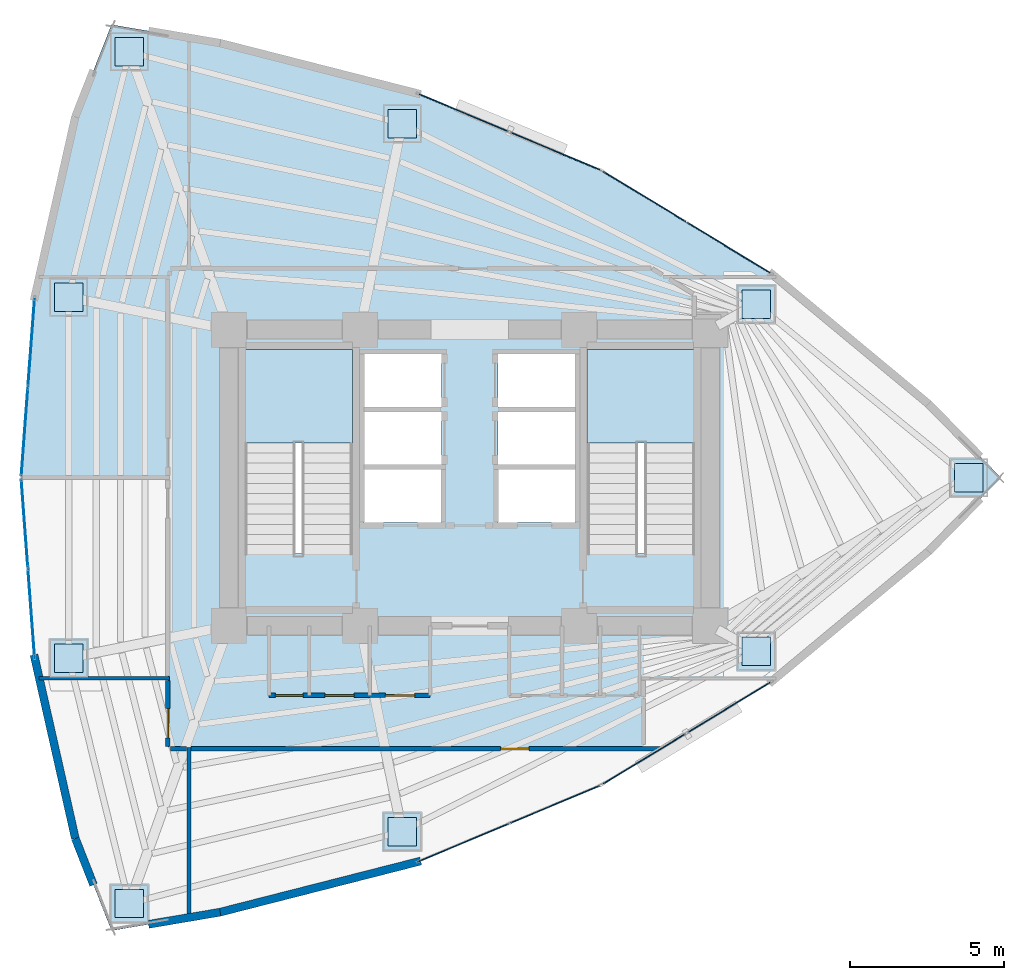
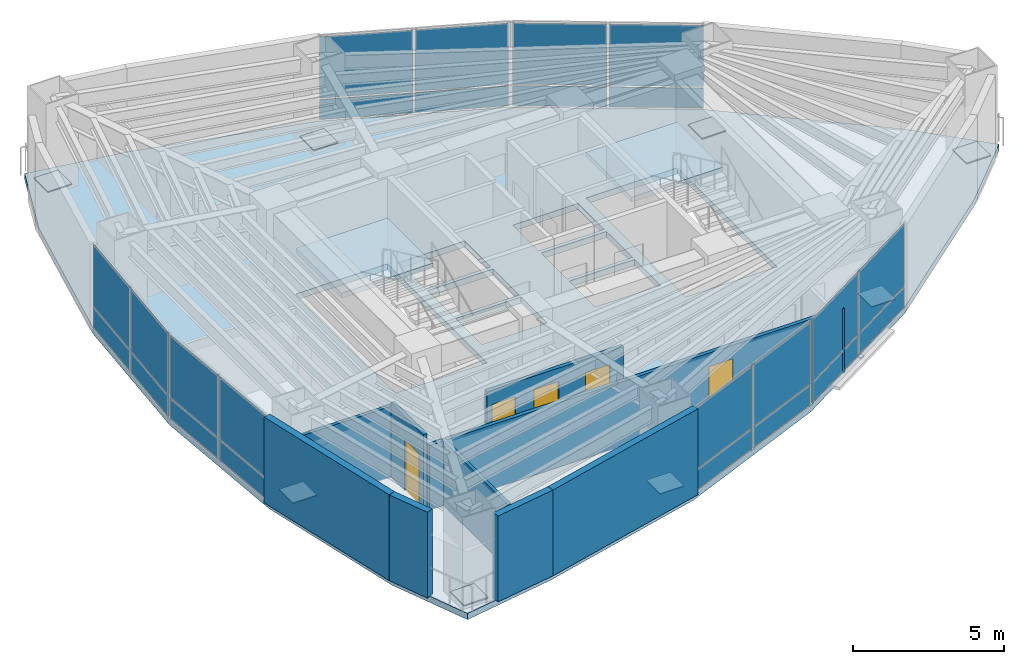
# One storey, part 12 of 16: 33 plates, 10 walls, 5 doors, 3 slabs, 5 openings, 8 elements without a shape of their own.
"""IFC4 building model written with IfcOpenShell, lengths in metres."""

import ifcopenshell
import ifcopenshell.guid

model = None  # the IFC model being written
_history = None  # IfcOwnerHistory: only IFC2X3 demands one
_inside = {}  # id of a spatial element -> (the spatial element, [elements in it])
_under = {}  # id of a project, library or spatial element -> (it, [spatial elements below it])
_declared = {}  # id of a project -> (the project, [libraries it declares])
_typed = {}  # id of a type object -> (the type object, [elements of that type])
_made_of = {}  # id of a material, layer set ... -> (it, [elements and type objects made of it])


def new_model(schema):
    """Start an empty IFC model of exactly this schema.

    Asked for "IFC4X3", IfcOpenShell would pick the latest addendum, in which some entities
    have other attributes; the version numbers below select the first issue.
    IFC2X3 requires an IfcOwnerHistory on every rooted entity: one is made here for all.
    """
    global model, _history
    if schema == "IFC4X3":
        model = ifcopenshell.file(schema_version=(4, 3, 0, 0))
    else:
        model = ifcopenshell.file(schema=schema)
    _inside.clear()
    _under.clear()
    _declared.clear()
    _typed.clear()
    _made_of.clear()
    _history = None
    if model.schema == "IFC2X3":
        org = make("IfcOrganization", Name="unknown")
        user = make(
            "IfcPersonAndOrganization",
            ThePerson=make("IfcPerson", FamilyName="unknown"),
            TheOrganization=org,
        )
        app = make(
            "IfcApplication",
            ApplicationDeveloper=org,
            Version="unknown",
            ApplicationFullName="unknown",
            ApplicationIdentifier="unknown",
        )
        _history = make(
            "IfcOwnerHistory",
            OwningUser=user,
            OwningApplication=app,
            ChangeAction="ADDED",
            CreationDate=0,
        )
    return model


def make(cls, **values):
    """One entity of the class cls with the attributes given. An attribute that is None is left unset."""
    return model.create_entity(
        cls, **{name: value for name, value in values.items() if value is not None}
    )


def rooted(cls, **values):
    """An entity with a GlobalId (a new one), such as an element, a storey or a relation."""
    return make(cls, GlobalId=ifcopenshell.guid.new(), OwnerHistory=_history, **values)


def si_unit(unit_type, name, prefix=None):
    """IfcSIUnit, for example si_unit("LENGTHUNIT", "METRE", prefix="MILLI")."""
    return make("IfcSIUnit", UnitType=unit_type, Prefix=prefix, Name=name)


def assignment(units):
    """IfcUnitAssignment: the units of a project."""
    return None if units is None else make("IfcUnitAssignment", Units=units)


def point(xyz):
    """IfcCartesianPoint."""
    return None if xyz is None else make("IfcCartesianPoint", Coordinates=xyz)


def direction(xyz):
    """IfcDirection."""
    return None if xyz is None else make("IfcDirection", DirectionRatios=xyz)


def frame(location, z_axis=None, x_axis=None):
    """IfcAxis2Placement3D, a coordinate frame: its origin and axes. An axis left out is left unset."""
    return make(
        "IfcAxis2Placement3D",
        Location=point(location),
        Axis=direction(z_axis),
        RefDirection=direction(x_axis),
    )


def frame_2d(location, x_axis=None):
    """IfcAxis2Placement2D, a coordinate frame in the plane: its origin and x axis."""
    return make(
        "IfcAxis2Placement2D", Location=point(location), RefDirection=direction(x_axis)
    )


def origin():
    """The frame at (0, 0, 0) with its axes left unset."""
    return frame((0.0, 0.0, 0.0))


def origin_2d():
    """The frame at (0, 0) in the plane with its x axis left unset."""
    return frame_2d((0.0, 0.0))


def place(relative_to, where):
    """IfcLocalPlacement: puts the frame where relative to a parent placement (None: the world)."""
    return make(
        "IfcLocalPlacement", PlacementRelTo=relative_to, RelativePlacement=where
    )


def context(
    kind, dimensions, precision=None, world=None, true_north=None, identifier=None
):
    """IfcGeometricRepresentationContext, for example the 3D "Model" context."""
    return make(
        "IfcGeometricRepresentationContext",
        ContextIdentifier=identifier,
        ContextType=kind,
        CoordinateSpaceDimension=dimensions,
        Precision=precision,
        WorldCoordinateSystem=world,
        TrueNorth=true_north,
    )


def subcontext(parent, identifier, kind, view, scale=None):
    """IfcGeometricRepresentationSubContext, for example "Body" below "Model"."""
    return make(
        "IfcGeometricRepresentationSubContext",
        ContextIdentifier=identifier,
        ContextType=kind,
        ParentContext=parent,
        TargetScale=scale,
        TargetView=view,
    )


def project(units=None, contexts=None):
    """IfcProject with its units and contexts."""
    return rooted(
        "IfcProject",
        Name="project",
        RepresentationContexts=contexts,
        UnitsInContext=assignment(units),
    )


def spatial(cls, under=None, at=None, **own):
    """A site, building, storey or space (cls), placed at a placement, below another one or the project."""
    s = rooted(cls, ObjectPlacement=at, **own)
    if under is not None:
        _under.setdefault(under.id(), (under, []))[1].append(s)
    return s


def polyline(points):
    """IfcPolyline through the points."""
    return make("IfcPolyline", Points=[point(p) for p in points])


def profile(cls, at=None, kind="AREA", **sizes):
    """A parametric profile (cls). Its sizes go by their IFC names, for example OverallWidth=200.0."""
    return make(cls, ProfileType=kind, Position=at, **sizes)


def rectangle(**sizes):
    """IfcRectangleProfileDef."""
    return profile("IfcRectangleProfileDef", **sizes)


def outline(outer, holes=None, kind="AREA"):
    """IfcArbitraryClosedProfileDef: a profile drawn as a closed curve; with holes, ...WithVoids."""
    if holes is None:
        return make("IfcArbitraryClosedProfileDef", ProfileType=kind, OuterCurve=outer)
    return make(
        "IfcArbitraryProfileDefWithVoids",
        ProfileType=kind,
        OuterCurve=outer,
        InnerCurves=holes,
    )


def extrude(swept, where, along, depth):
    """IfcExtrudedAreaSolid: the profile swept, set in the frame where, extruded along a direction by depth."""
    return make(
        "IfcExtrudedAreaSolid",
        SweptArea=swept,
        Position=where,
        ExtrudedDirection=direction(along),
        Depth=depth,
    )


def shape(context_of_items, identifier, shape_type, items):
    """IfcShapeRepresentation: the items that make up one representation, for example the "Body"."""
    return make(
        "IfcShapeRepresentation",
        ContextOfItems=context_of_items,
        RepresentationIdentifier=identifier,
        RepresentationType=shape_type,
        Items=items,
    )


def material(Name=None, Category=None):
    """IfcMaterial."""
    return make("IfcMaterial", Name=Name, Category=Category)


def layer(
    of_material, thickness, ventilated=None, Name=None, Category=None, Priority=None
):
    """IfcMaterialLayer: one layer of a wall or slab, of a material (None: an air gap)."""
    return make(
        "IfcMaterialLayer",
        Material=of_material,
        LayerThickness=thickness,
        IsVentilated=ventilated,
        Name=Name,
        Category=Category,
        Priority=Priority,
    )


def layer_set(layers, Name=None):
    """IfcMaterialLayerSet."""
    return make("IfcMaterialLayerSet", MaterialLayers=layers, LayerSetName=Name)


def made_of(thing, what):
    """Note that an element or type object is made of a material, layer set ...; save() writes the relation."""
    if what is not None:
        _made_of.setdefault(what.id(), (what, []))[1].append(thing)
    return thing


def type_object(cls, material=None, **own):
    """A type object (cls), such as IfcWallType, which elements share."""
    return made_of(rooted(cls, **own), material)


def element(
    cls,
    number,
    at=None,
    inside=None,
    cuts=None,
    type_object=None,
    material=None,
    context=None,
    identifier="Body",
    shape_type=None,
    held_by="IfcProductDefinitionShape",
    body=None,
    shapes=None,
    **own,
):
    """One element of the class cls, such as IfcWall. Its Tag is "e" and its number.

    at: its placement. inside: the storey or other place that contains it. cuts: it is an
    opening in that element (IfcRelVoidsElement). A single representation is given by context,
    identifier, shape_type and body (its items); several are given by shapes. held_by: the class
    of the entity that holds the representations. save() writes the other relations.
    """
    e = rooted(cls, Tag="e%d" % number, ObjectPlacement=at, **own)
    if body is not None:
        shapes = [shape(context, identifier, shape_type, body)]
    if shapes is not None:
        e.Representation = make(held_by, Representations=shapes)
    if inside is not None:
        _inside.setdefault(inside.id(), (inside, []))[1].append(e)
    if cuts is not None:
        rooted(
            "IfcRelVoidsElement", RelatingBuildingElement=cuts, RelatedOpeningElement=e
        )
    if type_object is not None:
        _typed.setdefault(type_object.id(), (type_object, []))[1].append(e)
    return made_of(e, material)


def fill(opening, filler):
    """IfcRelFillsElement: the door or window that sits in an opening."""
    return rooted(
        "IfcRelFillsElement",
        RelatingOpeningElement=opening,
        RelatedBuildingElement=filler,
    )


def aggregate(whole, parts):
    """IfcRelAggregates: a whole, such as a stair, and the parts it consists of."""
    return rooted("IfcRelAggregates", RelatingObject=whole, RelatedObjects=parts)


def save(model, path):
    """Write the relations noted so far, then the file.

    IfcRelAggregates (storeys below a building ...), IfcRelContainedInSpatialStructure (elements
    in a storey), IfcRelDefinesByType, IfcRelAssociatesMaterial and IfcRelDeclares: one each for
    every whole, place, type object, material and project.
    """
    for whole, parts in _under.values():
        aggregate(whole, parts)
    for where, things in _inside.values():
        rooted(
            "IfcRelContainedInSpatialStructure",
            RelatedElements=things,
            RelatingStructure=where,
        )
    for kind, things in _typed.values():
        rooted("IfcRelDefinesByType", RelatedObjects=things, RelatingType=kind)
    for what, things in _made_of.values():
        rooted("IfcRelAssociatesMaterial", RelatedObjects=things, RelatingMaterial=what)
    for by, libraries in _declared.values():
        rooted("IfcRelDeclares", RelatingContext=by, RelatedDefinitions=libraries)
    model.write(path)


model = new_model("IFC4")

# Units and contexts
model_context = context("Model", 3, precision=1e-05, world=origin(), true_north=direction((0.0, 1.0)))
body_context = subcontext(model_context, "Body", "Model", "MODEL_VIEW")
ifc_project = project(units=[si_unit("LENGTHUNIT", "METRE"), si_unit("AREAUNIT", "SQUARE_METRE"), si_unit("VOLUMEUNIT", "CUBIC_METRE"), si_unit("PLANEANGLEUNIT", "RADIAN"), si_unit("MASSUNIT", "GRAM", prefix="KILO")], contexts=[model_context])

# Site, building, storey
site_placement = place(None, origin())
site = spatial("IfcSite", under=ifc_project, at=site_placement, CompositionType="ELEMENT")
building_placement = place(site_placement, origin())
building = spatial("IfcBuilding", under=site, at=building_placement, Name="Menara Vayukalpa", CompositionType="ELEMENT")
storey_placement = place(building_placement, frame((0.0, 0.0, 72.239990234375)))
storey = spatial("IfcBuildingStorey", under=building, at=storey_placement, Name="L17", CompositionType="ELEMENT", Elevation=72.239990234375)

# Curtain wall, plates
ifc_material_1 = material(Name="Anodised Terracotta Aluminium Alloy 6063-T6", Category="masonry")
ifc_layer_1 = layer(ifc_material_1, 0.1650390625)
ifc_layer_set_1 = layer_set([ifc_layer_1], Name="Anodised Terracotta Aluminium Alloy 6063-T6")
curtain_wall_type = type_object("IfcCurtainWallType", Name="CW-CW2", PredefinedType="USERDEFINED", material=ifc_layer_set_1)
curtain_wall_1_placement = place(storey_placement, origin())
curtain_wall_1 = element("IfcCurtainWall", 1, at=curtain_wall_1_placement, inside=storey, type_object=curtain_wall_type, Name="L17 Low Rise Terracotta Ribbon Curtain Wall CW2 04", ObjectType="UNITISED", PredefinedType="USERDEFINED")
ifc_material_2 = material(Name="Low-E Double Glazing", Category="glass")
ifc_layer_2 = layer(ifc_material_2, 0.031982421875)
ifc_layer_set_2 = layer_set([ifc_layer_2], Name="Low-E Double Glazing")
plate_type_1 = type_object("IfcPlateType", Name="CWP-CW2", PredefinedType="CURTAIN_PANEL", material=ifc_layer_set_2)
plate_1_placement = place(storey_placement, frame((33.990966796875, 29.44921875, 0.06494140625), z_axis=(0.0, 0.0, 1.0), x_axis=(-0.854663123674, 0.519182959112, 0.0)))
plate_1 = element("IfcPlate", 2, at=plate_1_placement, type_object=plate_type_1, Name="CW2 panel 1.1", PredefinedType="CURTAIN_PANEL", context=body_context, shape_type="SweptSolid", body=[
    extrude(rectangle(XDim=3.12451171875, YDim=0.031982421875, at=origin_2d()), origin(), (0.0, 0.0, 1.0), 0.802490234375),
])
plate_2_placement = place(storey_placement, frame((33.990966796875, 29.44921875, 0.9326171875), z_axis=(0.0, 0.0, 1.0), x_axis=(-0.854663123674, 0.519182959112, 0.0)))
plate_2 = element("IfcPlate", 3, at=plate_2_placement, type_object=plate_type_1, Name="CW2 panel 1.2", PredefinedType="CURTAIN_PANEL", context=body_context, shape_type="SweptSolid", body=[
    extrude(rectangle(XDim=3.12451171875, YDim=0.031982421875, at=origin_2d()), origin(), (0.0, 0.0, 1.0), 2.472412109375),
])
plate_3_placement = place(storey_placement, frame((31.260986328125, 31.10791015625, 0.06494140625), z_axis=(0.0, 0.0, 1.0), x_axis=(-0.854663123674, 0.519182959112, 0.0)))
plate_3 = element("IfcPlate", 4, at=plate_3_placement, type_object=plate_type_1, Name="CW2 panel 2.1", PredefinedType="CURTAIN_PANEL", context=body_context, shape_type="SweptSolid", body=[
    extrude(rectangle(XDim=3.12451171875, YDim=0.031982421875, at=origin_2d()), origin(), (0.0, 0.0, 1.0), 0.802490234375),
])
plate_4_placement = place(storey_placement, frame((31.260986328125, 31.10791015625, 0.9326171875), z_axis=(0.0, 0.0, 1.0), x_axis=(-0.854663123674, 0.519182959112, 0.0)))
plate_4 = element("IfcPlate", 5, at=plate_4_placement, type_object=plate_type_1, Name="CW2 panel 2.2", PredefinedType="CURTAIN_PANEL", context=body_context, shape_type="SweptSolid", body=[
    extrude(rectangle(XDim=3.12451171875, YDim=0.031982421875, at=origin_2d()), origin(), (0.0, 0.0, 1.0), 2.472412109375),
])
aggregate(curtain_wall_1, [plate_1, plate_2, plate_3, plate_4])

curtain_wall_2_placement = place(storey_placement, origin())
curtain_wall_2 = element("IfcCurtainWall", 6, at=curtain_wall_2_placement, inside=storey, type_object=curtain_wall_type, Name="L17 Low Rise Terracotta Ribbon Curtain Wall CW2 05", ObjectType="UNITISED", PredefinedType="USERDEFINED")
plate_5_placement = place(storey_placement, frame((28.360107421875, 32.5849609375, 0.06494140625), z_axis=(0.0, 0.0, 1.0), x_axis=(-0.922543300632, 0.38589358437, 0.0)))
plate_5 = element("IfcPlate", 7, at=plate_5_placement, type_object=plate_type_1, Name="CW2 panel 1.1", PredefinedType="CURTAIN_PANEL", context=body_context, shape_type="SweptSolid", body=[
    extrude(rectangle(XDim=3.124267578125, YDim=0.031982421875, at=origin_2d()), origin(), (0.0, 0.0, 1.0), 0.802490234375),
])
plate_6_placement = place(storey_placement, frame((28.360107421875, 32.5849609375, 0.9326171875), z_axis=(0.0, 0.0, 1.0), x_axis=(-0.922543300632, 0.38589358437, 0.0)))
plate_6 = element("IfcPlate", 8, at=plate_6_placement, type_object=plate_type_1, Name="CW2 panel 1.2", PredefinedType="CURTAIN_PANEL", context=body_context, shape_type="SweptSolid", body=[
    extrude(rectangle(XDim=3.124267578125, YDim=0.031982421875, at=origin_2d()), origin(), (0.0, 0.0, 1.0), 2.472412109375),
])
plate_7_placement = place(storey_placement, frame((25.4130859375, 33.817626953125, 0.06494140625), z_axis=(0.0, 0.0, 1.0), x_axis=(-0.922543300632, 0.38589358437, 0.0)))
plate_7 = element("IfcPlate", 9, at=plate_7_placement, type_object=plate_type_1, Name="CW2 panel 2.1", PredefinedType="CURTAIN_PANEL", context=body_context, shape_type="SweptSolid", body=[
    extrude(rectangle(XDim=3.124267578125, YDim=0.031982421875, at=origin_2d()), origin(), (0.0, 0.0, 1.0), 0.802490234375),
])
plate_8_placement = place(storey_placement, frame((25.4130859375, 33.817626953125, 0.9326171875), z_axis=(0.0, 0.0, 1.0), x_axis=(-0.922543300632, 0.38589358437, 0.0)))
plate_8 = element("IfcPlate", 10, at=plate_8_placement, type_object=plate_type_1, Name="CW2 panel 2.2", PredefinedType="CURTAIN_PANEL", context=body_context, shape_type="SweptSolid", body=[
    extrude(rectangle(XDim=3.124267578125, YDim=0.031982421875, at=origin_2d()), origin(), (0.0, 0.0, 1.0), 2.472412109375),
])
aggregate(curtain_wall_2, [plate_5, plate_6, plate_7, plate_8])

curtain_wall_3_placement = place(storey_placement, origin())
curtain_wall_3 = element("IfcCurtainWall", 11, at=curtain_wall_3_placement, inside=storey, type_object=curtain_wall_type, Name="L17 Low Rise Terracotta Ribbon Curtain Wall CW2 10", ObjectType="UNITISED", PredefinedType="USERDEFINED")
plate_9_placement = place(storey_placement, frame((11.395751953125, 26.366943359375, 0.06494140625), z_axis=(0.0, 0.0, 1.0), x_axis=(-0.07478528334, -0.997199659745, 0.0)))
plate_9 = element("IfcPlate", 12, at=plate_9_placement, type_object=plate_type_1, Name="CW2 panel 1.1", PredefinedType="CURTAIN_PANEL", context=body_context, shape_type="SweptSolid", body=[
    extrude(rectangle(XDim=2.826171875, YDim=0.031982421875, at=origin_2d()), origin(), (0.0, 0.0, 1.0), 0.802490234375),
])
plate_10_placement = place(storey_placement, frame((11.395751953125, 26.366943359375, 0.9326171875), z_axis=(0.0, 0.0, 1.0), x_axis=(-0.07478528334, -0.997199659745, 0.0)))
plate_10 = element("IfcPlate", 13, at=plate_10_placement, type_object=plate_type_1, Name="CW2 panel 1.2", PredefinedType="CURTAIN_PANEL", context=body_context, shape_type="SweptSolid", body=[
    extrude(rectangle(XDim=2.826171875, YDim=0.031982421875, at=origin_2d()), origin(), (0.0, 0.0, 1.0), 2.472412109375),
])
plate_11_placement = place(storey_placement, frame((11.17919921875, 23.478759765625, 0.06494140625), z_axis=(0.0, 0.0, 1.0), x_axis=(-0.07478528334, -0.997199659745, 0.0)))
plate_11 = element("IfcPlate", 14, at=plate_11_placement, type_object=plate_type_1, Name="CW2 panel 2.1", PredefinedType="CURTAIN_PANEL", context=body_context, shape_type="SweptSolid", body=[
    extrude(rectangle(XDim=2.826171875, YDim=0.031982421875, at=origin_2d()), origin(), (0.0, 0.0, 1.0), 0.802490234375),
])
plate_12_placement = place(storey_placement, frame((11.17919921875, 23.478759765625, 0.9326171875), z_axis=(0.0, 0.0, 1.0), x_axis=(-0.07478528334, -0.997199659745, 0.0)))
plate_12 = element("IfcPlate", 15, at=plate_12_placement, type_object=plate_type_1, Name="CW2 panel 2.2", PredefinedType="CURTAIN_PANEL", context=body_context, shape_type="SweptSolid", body=[
    extrude(rectangle(XDim=2.826171875, YDim=0.031982421875, at=origin_2d()), origin(), (0.0, 0.0, 1.0), 2.472412109375),
])
aggregate(curtain_wall_3, [plate_9, plate_10, plate_11, plate_12])

curtain_wall_4_placement = place(storey_placement, origin())
curtain_wall_4 = element("IfcCurtainWall", 16, at=curtain_wall_4_placement, inside=storey, type_object=curtain_wall_type, Name="L17 Low Rise Terracotta Ribbon Curtain Wall CW2 11", ObjectType="UNITISED", PredefinedType="USERDEFINED")
plate_13_placement = place(storey_placement, frame((11.17919921875, 20.521240234375, 0.06494140625), z_axis=(0.0, 0.0, 1.0), x_axis=(0.07478528334, -0.997199659745, 0.0)))
plate_13 = element("IfcPlate", 17, at=plate_13_placement, type_object=plate_type_1, Name="CW2 panel 1.1", PredefinedType="CURTAIN_PANEL", context=body_context, shape_type="SweptSolid", body=[
    extrude(rectangle(XDim=2.826171875, YDim=0.031982421875, at=origin_2d()), origin(), (0.0, 0.0, 1.0), 0.802490234375),
])
plate_14_placement = place(storey_placement, frame((11.17919921875, 20.521240234375, 0.9326171875), z_axis=(0.0, 0.0, 1.0), x_axis=(0.07478528334, -0.997199659745, 0.0)))
plate_14 = element("IfcPlate", 18, at=plate_14_placement, type_object=plate_type_1, Name="CW2 panel 1.2", PredefinedType="CURTAIN_PANEL", context=body_context, shape_type="SweptSolid", body=[
    extrude(rectangle(XDim=2.826171875, YDim=0.031982421875, at=origin_2d()), origin(), (0.0, 0.0, 1.0), 2.472412109375),
])
plate_15_placement = place(storey_placement, frame((11.395751953125, 17.633056640625, 0.06494140625), z_axis=(0.0, 0.0, 1.0), x_axis=(0.07478528334, -0.997199659745, 0.0)))
plate_15 = element("IfcPlate", 19, at=plate_15_placement, type_object=plate_type_1, Name="CW2 panel 2.1", PredefinedType="CURTAIN_PANEL", context=body_context, shape_type="SweptSolid", body=[
    extrude(rectangle(XDim=2.826171875, YDim=0.031982421875, at=origin_2d()), origin(), (0.0, 0.0, 1.0), 0.802490234375),
])
plate_16_placement = place(storey_placement, frame((11.395751953125, 17.633056640625, 0.9326171875), z_axis=(0.0, 0.0, 1.0), x_axis=(0.07478528334, -0.997199659745, 0.0)))
plate_16 = element("IfcPlate", 20, at=plate_16_placement, type_object=plate_type_1, Name="CW2 panel 2.2", PredefinedType="CURTAIN_PANEL", context=body_context, shape_type="SweptSolid", body=[
    extrude(rectangle(XDim=2.826171875, YDim=0.031982421875, at=origin_2d()), origin(), (0.0, 0.0, 1.0), 2.472412109375),
])
aggregate(curtain_wall_4, [plate_13, plate_14, plate_15, plate_16])

curtain_wall_5_placement = place(storey_placement, origin())
curtain_wall_5 = element("IfcCurtainWall", 21, at=curtain_wall_5_placement, inside=storey, type_object=curtain_wall_type, Name="L17 Low Rise Terracotta Ribbon Curtain Wall CW2 16", ObjectType="UNITISED", PredefinedType="USERDEFINED")
plate_17_placement = place(storey_placement, frame((25.4130859375, 10.182373046875, 0.06494140625), z_axis=(0.0, 0.0, 1.0), x_axis=(0.922543300632, 0.38589358437, 0.0)))
plate_17 = element("IfcPlate", 22, at=plate_17_placement, type_object=plate_type_1, Name="CW2 panel 1.1", PredefinedType="CURTAIN_PANEL", context=body_context, shape_type="SweptSolid", body=[
    extrude(rectangle(XDim=3.124267578125, YDim=0.031982421875, at=origin_2d()), origin(), (0.0, 0.0, 1.0), 0.802490234375),
])
plate_18_placement = place(storey_placement, frame((25.4130859375, 10.182373046875, 0.9326171875), z_axis=(0.0, 0.0, 1.0), x_axis=(0.922543300632, 0.38589358437, 0.0)))
plate_18 = element("IfcPlate", 23, at=plate_18_placement, type_object=plate_type_1, Name="CW2 panel 1.2", PredefinedType="CURTAIN_PANEL", context=body_context, shape_type="SweptSolid", body=[
    extrude(rectangle(XDim=3.124267578125, YDim=0.031982421875, at=origin_2d()), origin(), (0.0, 0.0, 1.0), 2.472412109375),
])
plate_19_placement = place(storey_placement, frame((28.360107421875, 11.4150390625, 0.06494140625), z_axis=(0.0, 0.0, 1.0), x_axis=(0.922543300632, 0.38589358437, 0.0)))
plate_19 = element("IfcPlate", 24, at=plate_19_placement, type_object=plate_type_1, Name="CW2 panel 2.1", PredefinedType="CURTAIN_PANEL", context=body_context, shape_type="SweptSolid", body=[
    extrude(rectangle(XDim=3.124267578125, YDim=0.031982421875, at=origin_2d()), origin(), (0.0, 0.0, 1.0), 0.802490234375),
])
plate_20_placement = place(storey_placement, frame((28.360107421875, 11.4150390625, 0.9326171875), z_axis=(0.0, 0.0, 1.0), x_axis=(0.922543300632, 0.38589358437, 0.0)))
plate_20 = element("IfcPlate", 25, at=plate_20_placement, type_object=plate_type_1, Name="CW2 panel 2.2", PredefinedType="CURTAIN_PANEL", context=body_context, shape_type="SweptSolid", body=[
    extrude(rectangle(XDim=3.124267578125, YDim=0.031982421875, at=origin_2d()), origin(), (0.0, 0.0, 1.0), 2.472412109375),
])
aggregate(curtain_wall_5, [plate_17, plate_18, plate_19, plate_20])

curtain_wall_6_placement = place(storey_placement, origin())
curtain_wall_6 = element("IfcCurtainWall", 26, at=curtain_wall_6_placement, inside=storey, type_object=curtain_wall_type, Name="L17 Low Rise Terracotta Ribbon Curtain Wall CW2 17", ObjectType="UNITISED", PredefinedType="USERDEFINED")
plate_21_placement = place(storey_placement, frame((31.260986328125, 12.89208984375, 0.06494140625), z_axis=(0.0, 0.0, 1.0), x_axis=(0.854663123674, 0.519182959112, 0.0)))
plate_21 = element("IfcPlate", 27, at=plate_21_placement, type_object=plate_type_1, Name="CW2 panel 1.1", PredefinedType="CURTAIN_PANEL", context=body_context, shape_type="SweptSolid", body=[
    extrude(rectangle(XDim=3.12451171875, YDim=0.031982421875, at=origin_2d()), origin(), (0.0, 0.0, 1.0), 0.802490234375),
])
plate_22_placement = place(storey_placement, frame((31.260986328125, 12.89208984375, 0.9326171875), z_axis=(0.0, 0.0, 1.0), x_axis=(0.854663123674, 0.519182959112, 0.0)))
plate_22 = element("IfcPlate", 28, at=plate_22_placement, type_object=plate_type_1, Name="CW2 panel 1.2", PredefinedType="CURTAIN_PANEL", context=body_context, shape_type="SweptSolid", body=[
    extrude(rectangle(XDim=3.12451171875, YDim=0.031982421875, at=origin_2d()), origin(), (0.0, 0.0, 1.0), 2.472412109375),
])
plate_23_placement = place(storey_placement, frame((33.990966796875, 14.55078125, 0.06494140625), z_axis=(0.0, 0.0, 1.0), x_axis=(0.854663123674, 0.519182959112, 0.0)))
plate_23 = element("IfcPlate", 29, at=plate_23_placement, type_object=plate_type_1, Name="CW2 panel 2.1", PredefinedType="CURTAIN_PANEL", context=body_context, shape_type="SweptSolid", body=[
    extrude(rectangle(XDim=3.12451171875, YDim=0.031982421875, at=origin_2d()), origin(), (0.0, 0.0, 1.0), 0.802490234375),
])
plate_24_placement = place(storey_placement, frame((33.990966796875, 14.55078125, 0.9326171875), z_axis=(0.0, 0.0, 1.0), x_axis=(0.854663123674, 0.519182959112, 0.0)))
plate_24 = element("IfcPlate", 30, at=plate_24_placement, type_object=plate_type_1, Name="CW2 panel 2.2", PredefinedType="CURTAIN_PANEL", context=body_context, shape_type="SweptSolid", body=[
    extrude(rectangle(XDim=3.12451171875, YDim=0.031982421875, at=origin_2d()), origin(), (0.0, 0.0, 1.0), 2.472412109375),
])
aggregate(curtain_wall_6, [plate_21, plate_22, plate_23, plate_24])

# Plates
ifc_material_3 = material(Name="Steel S355", Category="steel")
ifc_layer_3 = layer(ifc_material_3, 0.0419921875)
ifc_layer_set_3 = layer_set([ifc_layer_3], Name="Steel S355")
plate_type_2 = type_object("IfcPlateType", Name="PLT-SP1", PredefinedType="USERDEFINED", material=ifc_layer_set_3)
for number, where, z_axis, x_axis, name in (
    (31, (41.761962890625, 22.0, 0.0), (0.0, 0.0, 1.0), (1.0, 0.0, 0.0), "L17 Mega Column Tier Splice Plate 01"),
    (32, (34.88671875, 27.62158203125, 0.0), (0.0, 0.0, 1.0), (1.0, 0.0, 0.0), "L17 Mega Column Tier Splice Plate 02"),
    (33, (23.408203125, 33.46728515625, 0.0), (0.0, 0.0, 1.0), (1.0, 0.0, 0.0), "L17 Mega Column Tier Splice Plate 03"),
    (34, (14.569091796875, 35.79736328125, 0.0), (0.0, 0.0, 1.0), (1.0, 0.0, 0.0), "L17 Mega Column Tier Splice Plate 04"),
    (35, (12.606689453125, 27.845703125, 0.0), (0.0, 0.0, 1.0), (1.0, 0.0, 0.0), "L17 Mega Column Tier Splice Plate 05"),
    (36, (12.606689453125, 16.154296875, 0.0), (0.0, 0.0, 1.0), (1.0, 0.0, 0.0), "L17 Mega Column Tier Splice Plate 06"),
    (37, (14.569091796875, 8.20263671875, 0.0), (0.0, 0.0, 1.0), (1.0, 0.0, 0.0), "L17 Mega Column Tier Splice Plate 07"),
    (38, (23.408203125, 10.53271484375, 0.0), (0.0, 0.0, 1.0), (1.0, 0.0, 0.0), "L17 Mega Column Tier Splice Plate 08"),
    (39, (34.88671875, 16.37841796875, 0.0), (0.0, 0.0, 1.0), (1.0, 0.0, 0.0), "L17 Mega Column Tier Splice Plate 09"),
):
    element("IfcPlate", number, at=place(storey_placement, frame(where, z_axis=z_axis, x_axis=x_axis)), inside=storey, type_object=plate_type_2, Name=name, ObjectType="SPLICE_PLATE", PredefinedType="USERDEFINED", context=body_context, shape_type="SweptSolid", body=[
        extrude(rectangle(XDim=0.919921875, YDim=0.919921875, at=origin_2d()), origin(), (0.0, 0.0, 1.0), 0.0419921875),
    ])

# Slab
ifc_material_4 = material(Name="Concrete C40/50", Category="concrete")
ifc_layer_4 = layer(ifc_material_4, 0.25)
ifc_layer_set_4 = layer_set([ifc_layer_4], Name="Concrete C40/50")
slab_type_1 = type_object("IfcSlabType", Name="SLB-FL250", PredefinedType="FLOOR", material=ifc_layer_set_4)
slab_1_placement = place(storey_placement, frame((0.0, 0.0, -0.25)))
element("IfcSlab", 40, at=slab_1_placement, inside=storey, type_object=slab_type_1, Name="L17 Structural Floor Slab", PredefinedType="FLOOR", context=body_context, shape_type="SweptSolid", body=[
    extrude(outline(polyline([(40.4677734375, 19.6123046875), (42.81201171875, 22.0), (40.4677734375, 24.3876953125), (35.385986328125, 28.601806640625), (29.865966796875, 31.955078125), (23.907470703125, 34.447509765625), (17.510498046875, 36.0791015625), (13.993896484375, 36.676025390625), (12.822021484375, 33.69140625), (11.506591796875, 27.845703125), (11.068115234375, 22.0), (11.506591796875, 16.154296875), (12.822021484375, 10.30859375), (13.993896484375, 7.323974609375), (17.510498046875, 7.9208984375), (23.907470703125, 9.552490234375), (29.865966796875, 12.044921875), (35.385986328125, 15.398193359375), (40.4677734375, 19.6123046875)]), holes=[polyline([(21.800048828125, 19.550048828125), (21.800048828125, 26.14990234375), (18.300048828125, 26.14990234375), (18.300048828125, 19.550048828125), (21.800048828125, 19.550048828125)]), polyline([(32.89990234375, 19.550048828125), (32.89990234375, 26.14990234375), (29.39990234375, 26.14990234375), (29.39990234375, 19.550048828125), (32.89990234375, 19.550048828125)]), polyline([(22.179931640625, 20.550048828125), (24.679931640625, 20.550048828125), (24.679931640625, 22.27001953125), (22.179931640625, 22.27001953125), (22.179931640625, 20.550048828125)]), polyline([(26.52001953125, 20.550048828125), (29.02001953125, 20.550048828125), (29.02001953125, 22.27001953125), (26.52001953125, 22.27001953125), (26.52001953125, 20.550048828125)]), polyline([(22.179931640625, 22.419921875), (24.679931640625, 22.419921875), (24.679931640625, 24.139892578125), (22.179931640625, 24.139892578125), (22.179931640625, 22.419921875)]), polyline([(22.179931640625, 24.2900390625), (24.679931640625, 24.2900390625), (24.679931640625, 26.010009765625), (22.179931640625, 26.010009765625), (22.179931640625, 24.2900390625)]), polyline([(26.52001953125, 24.2900390625), (29.02001953125, 24.2900390625), (29.02001953125, 26.010009765625), (26.52001953125, 26.010009765625), (26.52001953125, 24.2900390625)]), polyline([(26.52001953125, 22.419921875), (29.02001953125, 22.419921875), (29.02001953125, 24.139892578125), (26.52001953125, 24.139892578125), (26.52001953125, 22.419921875)])]), origin(), (0.0, 0.0, 1.0), 0.25),
])

# Stair, slab
ifc_material_5 = material(Name="Precast Concrete C40/50", Category="concrete")
stair_type = type_object("IfcStairType", Name="STR-T04", PredefinedType="DOUBLE_RETURN_STAIR", material=ifc_material_5)
stair_1_placement = place(storey_placement, origin())
stair_1 = element("IfcStair", 41, at=stair_1_placement, inside=storey, type_object=stair_type, Name="L17 Core Exit Stair ST-1", PredefinedType="DOUBLE_RETURN_STAIR")
ifc_material_6 = material(Name="Precast Concrete C40/50", Category="concrete")
ifc_layer_5 = layer(ifc_material_6, 0.199951171875)
ifc_layer_set_5 = layer_set([ifc_layer_5], Name="Precast Concrete C40/50")
slab_type_2 = type_object("IfcSlabType", Name="SLB-LND200", PredefinedType="LANDING", material=ifc_layer_set_5)
slab_2_placement = place(storey_placement, frame((0.0, 0.0, 1.659912109375)))
slab_2 = element("IfcSlab", 42, at=slab_2_placement, type_object=slab_type_2, Name="ST-1 landing 1", PredefinedType="LANDING", context=body_context, shape_type="SweptSolid", body=[
    extrude(outline(polyline([(21.800048828125, 23.1298828125), (21.800048828125, 26.14990234375), (18.300048828125, 26.14990234375), (18.300048828125, 23.1298828125), (21.800048828125, 23.1298828125)])), origin(), (0.0, 0.0, 1.0), 0.2001953125),
])
aggregate(stair_1, [slab_2])

stair_2_placement = place(storey_placement, origin())
stair_2 = element("IfcStair", 43, at=stair_2_placement, inside=storey, type_object=stair_type, Name="L17 Core Exit Stair ST-2", PredefinedType="DOUBLE_RETURN_STAIR")
slab_3_placement = place(storey_placement, frame((0.0, 0.0, 1.659912109375)))
slab_3 = element("IfcSlab", 44, at=slab_3_placement, type_object=slab_type_2, Name="ST-2 landing 1", PredefinedType="LANDING", context=body_context, shape_type="SweptSolid", body=[
    extrude(outline(polyline([(32.89990234375, 23.1298828125), (32.89990234375, 26.14990234375), (29.39990234375, 26.14990234375), (29.39990234375, 23.1298828125), (32.89990234375, 23.1298828125)])), origin(), (0.0, 0.0, 1.0), 0.2001953125),
])
aggregate(stair_2, [slab_3])

# Walls
ifc_material_7 = material(Name="Insulated Precast Concrete C40/50", Category="concrete")
ifc_layer_6 = layer(ifc_material_7, 0.260009765625)
ifc_layer_set_6 = layer_set([ifc_layer_6], Name="Insulated Precast Concrete C40/50")
wall_type_1 = type_object("IfcWallType", Name="WAL-EXT260", PredefinedType="PARTITIONING", material=ifc_layer_set_6)
wall_1_placement = place(storey_placement, frame((12.822021484375, 10.30859375, 0.0), z_axis=(0.0, 0.0, 1.0), x_axis=(-0.219535044336, 0.975604614743, 0.0)))
element("IfcWall", 45, at=wall_1_placement, inside=storey, type_object=wall_type_1, Name="L17 Perimeter Terracotta Pier Wall 12", PredefinedType="PARTITIONING", context=body_context, shape_type="SweptSolid", body=[
    extrude(rectangle(XDim=6.10205078125, YDim=0.260009765625, at=frame_2d((3.051025390625, 0.0))), origin(), (0.0, 0.0, 1.0), 3.469970703125),
])
wall_2_placement = place(storey_placement, frame((13.411865234375, 8.806396484375, 0.0), z_axis=(0.0, 0.0, 1.0), x_axis=(-0.365488551504, 0.930815835018, 0.0)))
element("IfcWall", 46, at=wall_2_placement, inside=storey, type_object=wall_type_1, Name="L17 Perimeter Terracotta Pier Wall 13", PredefinedType="PARTITIONING", context=body_context, shape_type="SweptSolid", body=[
    extrude(rectangle(XDim=1.61376953125, YDim=0.260009765625, at=frame_2d((0.806884765625, 0.0))), origin(), (0.0, 0.0, 1.0), 3.469970703125),
])
wall_3_placement = place(storey_placement, frame((17.516357421875, 7.921875, 0.0), z_axis=(0.0, 0.0, 1.0), x_axis=(-0.985905269947, -0.167304508875, 0.0)))
element("IfcWall", 47, at=wall_3_placement, inside=storey, type_object=wall_type_1, Name="L17 Perimeter Terracotta Pier Wall 14", PredefinedType="PARTITIONING", context=body_context, shape_type="SweptSolid", body=[
    extrude(rectangle(XDim=2.356689453125, YDim=0.260009765625, at=frame_2d((1.17822265625, 0.0))), origin(), (0.0, 0.0, 1.0), 3.469970703125),
])
wall_4_placement = place(storey_placement, frame((24.013916015625, 9.57958984375, 0.0), z_axis=(0.0, 0.0, 1.0), x_axis=(-0.968981437296, -0.247133514876, 0.0)))
element("IfcWall", 48, at=wall_4_placement, inside=storey, type_object=wall_type_1, Name="L17 Perimeter Terracotta Pier Wall 15", PredefinedType="PARTITIONING", context=body_context, shape_type="SweptSolid", body=[
    extrude(rectangle(XDim=6.717529296875, YDim=0.260009765625, at=frame_2d((3.35888671875, 0.0))), origin(), (0.0, 0.0, 1.0), 3.469970703125),
])
ifc_material_8 = material(Name="Gypsum Drywall Steel Stud Assembly", Category="steel")
ifc_layer_7 = layer(ifc_material_8, 0.125)
ifc_layer_set_7 = layer_set([ifc_layer_7], Name="Gypsum Drywall Steel Stud Assembly")
wall_type_2 = type_object("IfcWallType", Name="WAL-PT125", PredefinedType="PARTITIONING", material=ifc_layer_set_7)
wall_5_placement = place(storey_placement, frame((16.5, 7.7392578125, 0.0), z_axis=(0.0, 0.0, 1.0), x_axis=(0.0, 1.0, 0.0)))
element("IfcWall", 49, at=wall_5_placement, inside=storey, type_object=wall_type_2, Name="L17 Interior Partition IW-L17-RDIV01", PredefinedType="PARTITIONING", context=body_context, shape_type="SweptSolid", body=[
    extrude(rectangle(XDim=5.520751953125, YDim=0.125, at=frame_2d((2.76025390625, 0.0))), origin(), (0.0, 0.0, 1.0), 2.60009765625),
])
wall_6_placement = place(storey_placement, frame((11.6435546875, 15.5, 0.0), z_axis=(0.0, 0.0, 1.0), x_axis=(1.0, 0.0, 0.0)))
element("IfcWall", 50, at=wall_6_placement, inside=storey, type_object=wall_type_2, Name="L17 Interior Partition IW-L17-RDIV03", PredefinedType="PARTITIONING", context=body_context, shape_type="SweptSolid", body=[
    extrude(rectangle(XDim=4.2265625, YDim=0.125, at=frame_2d((2.11328125, 0.0))), origin(), (0.0, 0.0, 1.0), 2.85009765625),
])

# Wall, openings, doors
ifc_material_9 = material(Name="Gypsum Drywall Acoustic Stud Assembly", Category="masonry")
ifc_layer_8 = layer(ifc_material_9, 0.14501953125)
ifc_layer_set_8 = layer_set([ifc_layer_8], Name="Gypsum Drywall Acoustic Stud Assembly")
wall_type_3 = type_object("IfcWallType", Name="WAL-PT150", PredefinedType="PARTITIONING", material=ifc_layer_set_8)
wall_7_placement = place(storey_placement, frame((19.10009765625, 14.949951171875, 0.0), z_axis=(0.0, 0.0, 1.0), x_axis=(1.0, 0.0, 0.0)))
wall_7 = element("IfcWall", 51, at=wall_7_placement, inside=storey, type_object=wall_type_3, Name="L17 Interior Partition IW-L17-SVCS-W", PredefinedType="PARTITIONING", context=body_context, shape_type="SweptSolid", body=[
    extrude(rectangle(XDim=5.219970703125, YDim=0.14501953125, at=frame_2d((2.60986328125, 0.0))), origin(), (0.0, 0.0, 1.0), 2.60009765625),
])
opening_1_placement = place(wall_7_placement, frame((0.199951171875, 0.0, 0.0)))
opening_1 = element("IfcOpeningElement", 52, at=opening_1_placement, cuts=wall_7, Name="Opening ID7", PredefinedType="OPENING", context=body_context, shape_type="SweptSolid", body=[
    extrude(rectangle(XDim=0.89990234375, YDim=2.02001953125, at=frame_2d((0.449951171875, 1.010009765625))), frame((0.0, 0.08251953125, 0.0), z_axis=(0.0, -1.0, 0.0), x_axis=(1.0, 0.0, 0.0)), (0.0, 0.0, 1.0), 0.1650390625),
])
opening_2_placement = place(wall_7_placement, frame((1.804931640625, 0.0, 0.0)))
opening_2 = element("IfcOpeningElement", 53, at=opening_2_placement, cuts=wall_7, Name="Opening ID5", PredefinedType="OPENING", context=body_context, shape_type="SweptSolid", body=[
    extrude(rectangle(XDim=0.949951171875, YDim=2.06005859375, at=frame_2d((0.47509765625, 1.030029296875))), frame((0.0, 0.08251953125, 0.0), z_axis=(0.0, -1.0, 0.0), x_axis=(1.0, 0.0, 0.0)), (0.0, 0.0, 1.0), 0.1650390625),
])
opening_3_placement = place(wall_7_placement, frame((3.764892578125, 0.0, 0.0)))
opening_3 = element("IfcOpeningElement", 54, at=opening_3_placement, cuts=wall_7, Name="Opening ID5", PredefinedType="OPENING", context=body_context, shape_type="SweptSolid", body=[
    extrude(rectangle(XDim=0.949951171875, YDim=2.06005859375, at=frame_2d((0.47509765625, 1.030029296875))), frame((0.0, 0.08251953125, 0.0), z_axis=(0.0, -1.0, 0.0), x_axis=(1.0, 0.0, 0.0)), (0.0, 0.0, 1.0), 0.1650390625),
])
ifc_material_10 = material(Name="Acoustic Hardwood Veneer Timber Door", Category="wood")
door_type_1 = type_object("IfcDoorType", Name="DR-INT95", OperationType="NOTDEFINED", PredefinedType="DOOR", material=ifc_material_10)
door_1_placement = place(opening_2_placement, origin())
door_1 = element("IfcDoor", 55, at=door_1_placement, inside=storey, type_object=door_type_1, Name="L17 Interior Door DR-L17-AWC", OperationType="SINGLE_SWING_RIGHT", OverallHeight=2.06005859375, OverallWidth=0.949951171875, PredefinedType="DOOR", context=body_context, shape_type="SweptSolid", body=[
    extrude(rectangle(XDim=0.949951171875, YDim=2.06005859375, at=frame_2d((0.47509765625, 1.030029296875))), frame((0.0, 0.02490234375, 0.0), z_axis=(0.0, -1.0, 0.0), x_axis=(1.0, 0.0, 0.0)), (0.0, 0.0, 1.0), 0.050048828125),
])
fill(opening_2, door_1)
door_2_placement = place(opening_3_placement, origin())
door_2 = element("IfcDoor", 56, at=door_2_placement, inside=storey, type_object=door_type_1, Name="L17 Interior Door DR-L17-SWC", OperationType="SINGLE_SWING_LEFT", OverallHeight=2.06005859375, OverallWidth=0.949951171875, PredefinedType="DOOR", context=body_context, shape_type="SweptSolid", body=[
    extrude(rectangle(XDim=0.949951171875, YDim=2.06005859375, at=frame_2d((0.47509765625, 1.030029296875))), frame((0.0, 0.02490234375, 0.0), z_axis=(0.0, -1.0, 0.0), x_axis=(1.0, 0.0, 0.0)), (0.0, 0.0, 1.0), 0.050048828125),
])
fill(opening_3, door_2)
ifc_material_11 = material(Name="Powder-Coated Steel Riser Access Door", Category="steel")
door_type_2 = type_object("IfcDoorType", Name="DR-RISER", OperationType="NOTDEFINED", PredefinedType="DOOR", material=ifc_material_11)
door_3_placement = place(opening_1_placement, origin())
door_3 = element("IfcDoor", 57, at=door_3_placement, inside=storey, type_object=door_type_2, Name="L17 Interior Door DR-L17-ELR", OperationType="SINGLE_SWING_LEFT", OverallHeight=2.02001953125, OverallWidth=0.89990234375, PredefinedType="DOOR", context=body_context, shape_type="SweptSolid", body=[
    extrude(rectangle(XDim=0.89990234375, YDim=2.02001953125, at=frame_2d((0.449951171875, 1.010009765625))), frame((0.0, 0.02490234375, 0.0), z_axis=(0.0, -1.0, 0.0), x_axis=(1.0, 0.0, 0.0)), (0.0, 0.0, 1.0), 0.050048828125),
])
fill(opening_1, door_3)

# Wall, opening, door
wall_8_placement = place(storey_placement, frame((15.820068359375, 15.429931640625, 0.0), z_axis=(0.0, 0.0, 1.0), x_axis=(0.0, -1.0, 0.0)))
wall_8 = element("IfcWall", 58, at=wall_8_placement, inside=storey, type_object=wall_type_3, Name="L17 Interior Partition IW-L17-CRM03-1", PredefinedType="PARTITIONING", context=body_context, shape_type="SweptSolid", body=[
    extrude(rectangle(XDim=2.139892578125, YDim=0.14501953125, at=frame_2d((1.06982421875, 0.0))), origin(), (0.0, 0.0, 1.0), 3.0),
])
opening_4_placement = place(wall_8_placement, frame((0.909912109375, 0.0, 0.0)))
opening_4 = element("IfcOpeningElement", 59, at=opening_4_placement, cuts=wall_8, Name="Opening ID5", PredefinedType="OPENING", context=body_context, shape_type="SweptSolid", body=[
    extrude(rectangle(XDim=0.949951171875, YDim=2.06005859375, at=frame_2d((0.47509765625, 1.030029296875))), frame((0.0, 0.08251953125, 0.0), z_axis=(0.0, -1.0, 0.0), x_axis=(1.0, 0.0, 0.0)), (0.0, 0.0, 1.0), 0.1650390625),
])
door_4_placement = place(opening_4_placement, origin())
door_4 = element("IfcDoor", 60, at=door_4_placement, inside=storey, type_object=door_type_1, Name="L17 Interior Door DR-L17-RM03", OperationType="SINGLE_SWING_RIGHT", OverallHeight=2.06005859375, OverallWidth=0.949951171875, PredefinedType="DOOR", context=body_context, shape_type="SweptSolid", body=[
    extrude(rectangle(XDim=0.949951171875, YDim=2.06005859375, at=frame_2d((0.47509765625, 1.030029296875))), frame((0.0, 0.02490234375, 0.0), z_axis=(0.0, -1.0, 0.0), x_axis=(1.0, 0.0, 0.0)), (0.0, 0.0, 1.0), 0.050048828125),
])
fill(opening_4, door_4)

# Wall
wall_9_placement = place(storey_placement, frame((15.89990234375, 13.2099609375, 0.0), z_axis=(0.0, 0.0, 1.0), x_axis=(1.0, 0.0, 0.0)))
element("IfcWall", 61, at=wall_9_placement, inside=storey, type_object=wall_type_3, Name="L17 Interior Partition IW-L17-CRM03-2", PredefinedType="PARTITIONING", context=body_context, shape_type="SweptSolid", body=[
    extrude(rectangle(XDim=0.530029296875, YDim=0.14501953125, at=frame_2d((0.26513671875, 0.0))), origin(), (0.0, 0.0, 1.0), 2.60009765625),
])

# Wall, opening, door
wall_10_placement = place(storey_placement, frame((16.570068359375, 13.2099609375, 0.0), z_axis=(0.0, 0.0, 1.0), x_axis=(1.0, 0.0, 0.0)))
wall_10 = element("IfcWall", 62, at=wall_10_placement, inside=storey, type_object=wall_type_3, Name="L17 Interior Partition IW-L17-CRM04-1", PredefinedType="PARTITIONING", context=body_context, shape_type="SweptSolid", body=[
    extrude(rectangle(XDim=15.2138671875, YDim=0.14501953125, at=frame_2d((7.60693359375, 0.0))), origin(), (0.0, 0.0, 1.0), 2.60009765625),
])
opening_5_placement = place(wall_10_placement, frame((10.029296875, 0.0, 0.0)))
opening_5 = element("IfcOpeningElement", 63, at=opening_5_placement, cuts=wall_10, Name="Opening ID6", PredefinedType="OPENING", context=body_context, shape_type="SweptSolid", body=[
    extrude(rectangle(XDim=0.919921875, YDim=2.050048828125, at=frame_2d((0.4599609375, 1.02490234375))), frame((0.0, 0.08251953125, 0.0), z_axis=(0.0, -1.0, 0.0), x_axis=(1.0, 0.0, 0.0)), (0.0, 0.0, 1.0), 0.1650390625),
])
ifc_material_12 = material(Name="Acoustic Hardwood Veneer Timber Door", Category="wood")
door_type_3 = type_object("IfcDoorType", Name="DR-INT92", OperationType="NOTDEFINED", PredefinedType="DOOR", material=ifc_material_12)
door_5_placement = place(opening_5_placement, origin())
door_5 = element("IfcDoor", 64, at=door_5_placement, inside=storey, type_object=door_type_3, Name="L17 Interior Door DR-L17-RM04", OperationType="SINGLE_SWING_LEFT", OverallHeight=2.050048828125, OverallWidth=0.919921875, PredefinedType="DOOR", context=body_context, shape_type="SweptSolid", body=[
    extrude(rectangle(XDim=0.919921875, YDim=2.050048828125, at=frame_2d((0.4599609375, 1.02490234375))), frame((0.0, 0.02490234375, 0.0), z_axis=(0.0, -1.0, 0.0), x_axis=(1.0, 0.0, 0.0)), (0.0, 0.0, 1.0), 0.050048828125),
])
fill(opening_5, door_5)

save(model, "model.ifc")
